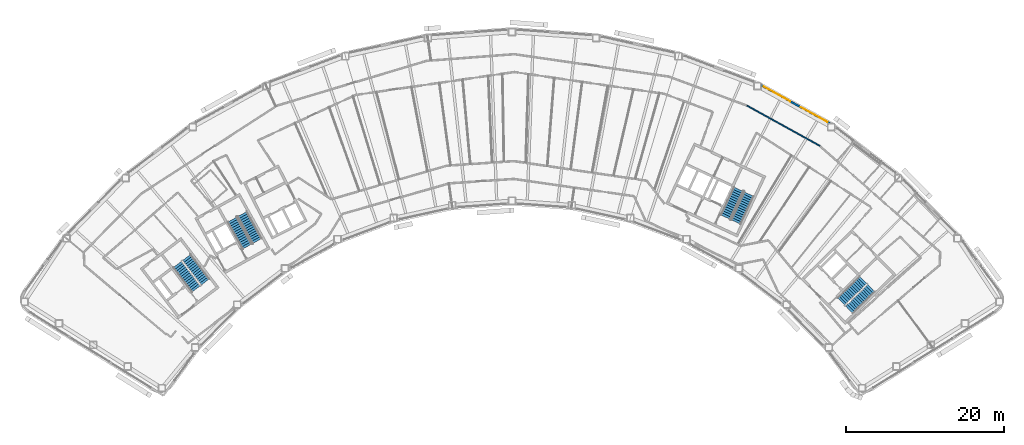
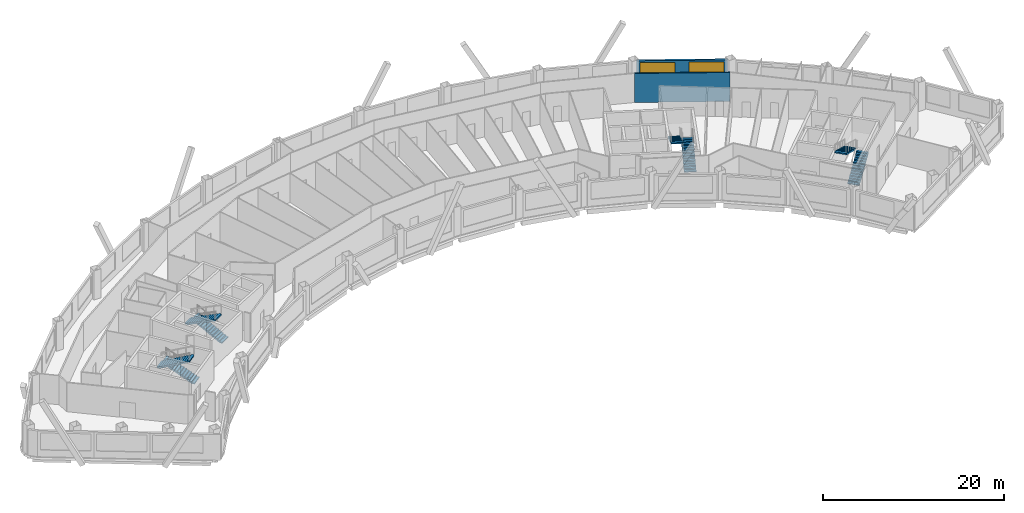
# One storey, part 12 of 14: 8 stair flights, 2 walls, 2 windows, 2 openings, 4 elements without a shape of their own.
"""IFC4 building model written with IfcOpenShell, lengths in metres."""

from ifc_helpers import new_model, si_unit, direction, frame, frame_2d, origin, place, context, subcontext, project, spatial, polyline, rectangle, outline, extrude, material, layer, layer_set, type_object, element, fill, aggregate, save


model = new_model("IFC4")

# Units and contexts
model_context = context("Model", 3, precision=1e-05, world=origin(), true_north=direction((0.0, 1.0)))
body_context = subcontext(model_context, "Body", "Model", "MODEL_VIEW")
ifc_project = project(units=[si_unit("LENGTHUNIT", "METRE"), si_unit("AREAUNIT", "SQUARE_METRE"), si_unit("VOLUMEUNIT", "CUBIC_METRE"), si_unit("PLANEANGLEUNIT", "RADIAN"), si_unit("MASSUNIT", "GRAM", prefix="KILO")], contexts=[model_context])

# Site, building, storey
site_placement = place(None, origin())
site = spatial("IfcSite", under=ifc_project, at=site_placement, CompositionType="ELEMENT")
building_placement = place(site_placement, origin())
building = spatial("IfcBuilding", under=site, at=building_placement, Name="Tuul Gate Civic Tower", CompositionType="ELEMENT")
storey_placement = place(building_placement, frame((0.0, 0.0, 217.89990234375)))
storey = spatial("IfcBuildingStorey", under=building, at=storey_placement, Name="Level 49", CompositionType="ELEMENT", Elevation=217.89990234375)

# Wall
ifc_material_1 = material(Name="Gypsum board partition")
ifc_layer_1 = layer(ifc_material_1, 0.14990234375)
ifc_layer_set_1 = layer_set([ifc_layer_1], Name="Gypsum board partition")
wall_type_1 = type_object("IfcWallType", Name="Corridor wall P150", PredefinedType="PARTITIONING", material=ifc_layer_set_1)
wall_1_placement = place(storey_placement, frame((35.687744140625, 9.25048828125, 0.0), z_axis=(0.0, 0.0, 1.0), x_axis=(0.874959859782, -0.484195460295, 0.0)))
element("IfcWall", 1, at=wall_1_placement, inside=storey, type_object=wall_type_1, Name="p008", PredefinedType="PARTITIONING", context=body_context, shape_type="SweptSolid", body=[
    extrude(rectangle(XDim=10.530517578125, YDim=0.14990234375, at=frame_2d((5.26513671875, 0.0))), origin(), (0.0, 0.0, 1.0), 3.900146484375),
])

# Wall, openings, windows
ifc_material_2 = material(Name="Precast concrete C40/50", Category="concrete")
ifc_layer_2 = layer(ifc_material_2, 0.25)
ifc_layer_set_2 = layer_set([ifc_layer_2], Name="Precast concrete C40/50")
wall_type_2 = type_object("IfcWallType", Name="External wall", PredefinedType="STANDARD", material=ifc_layer_set_2)
wall_2_placement = place(storey_placement, frame((46.201171875, 6.992919921875, 0.0), z_axis=(0.0, 0.0, 1.0), x_axis=(-0.874625464024, 0.484799234405, 0.0)))
wall_2 = element("IfcWall", 2, at=wall_2_placement, inside=storey, type_object=wall_type_2, Name="External wall", PredefinedType="STANDARD", context=body_context, shape_type="SweptSolid", body=[
    extrude(rectangle(XDim=10.00244140625, YDim=0.25, at=frame_2d((5.001220703125, 0.0))), origin(), (0.0, 0.0, 1.0), 3.4501953125),
])
opening_1_placement = place(wall_2_placement, frame((0.38671875, 0.0, 0.89990234375)))
opening_1 = element("IfcOpeningElement", 3, at=opening_1_placement, cuts=wall_2, Name="Opening W22", PredefinedType="OPENING", context=body_context, shape_type="SweptSolid", body=[
    extrude(rectangle(XDim=3.85009765625, YDim=2.300048828125, at=frame_2d((1.925048828125, 1.14990234375))), frame((0.0, 0.135009765625, 0.0), z_axis=(0.0, -1.0, 0.0), x_axis=(1.0, 0.0, 0.0)), (0.0, 0.0, 1.0), 0.27001953125),
])
opening_2_placement = place(wall_2_placement, frame((5.758056640625, 0.0, 0.89990234375)))
opening_2 = element("IfcOpeningElement", 4, at=opening_2_placement, cuts=wall_2, Name="Opening W22", PredefinedType="OPENING", context=body_context, shape_type="SweptSolid", body=[
    extrude(rectangle(XDim=3.85009765625, YDim=2.300048828125, at=frame_2d((1.925048828125, 1.14990234375))), frame((0.0, 0.135009765625, 0.0), z_axis=(0.0, -1.0, 0.0), x_axis=(1.0, 0.0, 0.0)), (0.0, 0.0, 1.0), 0.27001953125),
])
ifc_material_3 = material(Name="Glass", Category="glass")
window_type = type_object("IfcWindowType", Name="Window W22 3850 x 2300", PartitioningType="SINGLE_PANEL", PredefinedType="WINDOW", material=ifc_material_3)
window_1_placement = place(opening_1_placement, origin())
window_1 = element("IfcWindow", 5, at=window_1_placement, inside=storey, type_object=window_type, Name="Window", OverallHeight=2.300048828125, OverallWidth=3.85009765625, PartitioningType="SINGLE_PANEL", PredefinedType="WINDOW", context=body_context, shape_type="SweptSolid", body=[
    extrude(rectangle(XDim=3.85009765625, YDim=2.300048828125, at=frame_2d((1.925048828125, 1.14990234375))), frame((0.0, 0.030029296875, 0.0), z_axis=(0.0, -1.0, 0.0), x_axis=(1.0, 0.0, 0.0)), (0.0, 0.0, 1.0), 0.06005859375),
])
fill(opening_1, window_1)
window_2_placement = place(opening_2_placement, origin())
window_2 = element("IfcWindow", 6, at=window_2_placement, inside=storey, type_object=window_type, Name="Window", OverallHeight=2.300048828125, OverallWidth=3.85009765625, PartitioningType="SINGLE_PANEL", PredefinedType="WINDOW", context=body_context, shape_type="SweptSolid", body=[
    extrude(rectangle(XDim=3.85009765625, YDim=2.300048828125, at=frame_2d((1.925048828125, 1.14990234375))), frame((0.0, 0.030029296875, 0.0), z_axis=(0.0, -1.0, 0.0), x_axis=(1.0, 0.0, 0.0)), (0.0, 0.0, 1.0), 0.06005859375),
])
fill(opening_2, window_2)

# Stair, stair flights
ifc_material_4 = material(Name="Concrete C40/50", Category="concrete")
stair_type = type_object("IfcStairType", Name="Exit stair", PredefinedType="HALF_TURN_STAIR", material=ifc_material_4)
stair_1_placement = place(storey_placement, origin())
stair_1 = element("IfcStair", 7, at=stair_1_placement, inside=storey, type_object=stair_type, Name="Level 49 ST-1", PredefinedType="HALF_TURN_STAIR")
ifc_material_5 = material(Name="Concrete C40/50", Category="concrete")
stair_flight_type = type_object("IfcStairFlightType", Name="Exit stair flight", PredefinedType="STRAIGHT", material=ifc_material_5)
stair_flight_1_placement = place(storey_placement, frame((-32.875244140625, -13.066650390625, 0.0), z_axis=(0.0, 0.0, 1.0), x_axis=(-0.605764474941, 0.795644016442, 0.0)))
stair_flight_1 = element("IfcStairFlight", 8, at=stair_flight_1_placement, type_object=stair_flight_type, Name="ST-1 flight 1", NumberOfRisers=14, NumberOfTreads=13, PredefinedType="STRAIGHT", RiserHeight=0.15, TreadLength=0.3, context=body_context, shape_type="SweptSolid", body=[
    extrude(outline(polyline([(0.0, 0.0), (0.0, 0.14990234375), (0.300048828125, 0.14990234375), (0.300048828125, 0.300048828125), (0.60009765625, 0.300048828125), (0.60009765625, 0.449951171875), (0.89990234375, 0.449951171875), (0.89990234375, 0.60009765625), (1.199951171875, 0.60009765625), (1.199951171875, 0.75), (1.5, 0.75), (1.5, 0.89990234375), (1.800048828125, 0.89990234375), (1.800048828125, 1.050048828125), (2.10009765625, 1.050048828125), (2.10009765625, 1.199951171875), (2.39990234375, 1.199951171875), (2.39990234375, 1.35009765625), (2.699951171875, 1.35009765625), (2.699951171875, 1.5), (3.0, 1.5), (3.0, 1.64990234375), (3.300048828125, 1.64990234375), (3.300048828125, 1.800048828125), (3.60009765625, 1.800048828125), (3.60009765625, 1.949951171875), (3.89990234375, 1.949951171875), (3.89990234375, 2.10009765625), (3.89990234375, 1.782470703125), (0.335205078125, 0.0), (0.0, 0.0)])), frame((0.0, 0.675048828125, 0.0), z_axis=(0.0, -1.0, 0.0), x_axis=(1.0, 0.0, 0.0)), (0.0, 0.0, 1.0), 1.35009765625),
])
stair_flight_2_placement = place(storey_placement, frame((-36.391357421875, -10.842041015625, 2.10009765625), z_axis=(0.0, 0.0, 1.0), x_axis=(0.605764474941, -0.795644016442, 0.0)))
stair_flight_2 = element("IfcStairFlight", 9, at=stair_flight_2_placement, type_object=stair_flight_type, Name="ST-1 flight 2", NumberOfRisers=14, NumberOfTreads=13, PredefinedType="STRAIGHT", RiserHeight=0.15, TreadLength=0.3, context=body_context, shape_type="SweptSolid", body=[
    extrude(outline(polyline([(0.0, 0.0), (0.0, 0.14990234375), (0.300048828125, 0.14990234375), (0.300048828125, 0.300048828125), (0.60009765625, 0.300048828125), (0.60009765625, 0.449951171875), (0.89990234375, 0.449951171875), (0.89990234375, 0.60009765625), (1.199951171875, 0.60009765625), (1.199951171875, 0.75), (1.5, 0.75), (1.5, 0.89990234375), (1.800048828125, 0.89990234375), (1.800048828125, 1.050048828125), (2.10009765625, 1.050048828125), (2.10009765625, 1.199951171875), (2.39990234375, 1.199951171875), (2.39990234375, 1.35009765625), (2.699951171875, 1.35009765625), (2.699951171875, 1.5), (3.0, 1.5), (3.0, 1.64990234375), (3.300048828125, 1.64990234375), (3.300048828125, 1.800048828125), (3.60009765625, 1.800048828125), (3.60009765625, 1.949951171875), (3.89990234375, 1.949951171875), (3.89990234375, 2.10009765625), (3.89990234375, 1.782470703125), (0.335205078125, 0.0), (0.0, 0.0)])), frame((0.0, 0.675048828125, 0.0), z_axis=(0.0, -1.0, 0.0), x_axis=(1.0, 0.0, 0.0)), (0.0, 0.0, 1.0), 1.35009765625),
])
aggregate(stair_1, [stair_flight_1, stair_flight_2])

stair_2_placement = place(storey_placement, origin())
stair_2 = element("IfcStair", 10, at=stair_2_placement, inside=storey, type_object=stair_type, Name="Level 49 ST-2", PredefinedType="HALF_TURN_STAIR")
stair_flight_3_placement = place(storey_placement, frame((-26.29150390625, -7.87646484375, 0.0), z_axis=(0.0, 0.0, 1.0), x_axis=(-0.484761763766, 0.874646232708, 0.0)))
stair_flight_3 = element("IfcStairFlight", 11, at=stair_flight_3_placement, type_object=stair_flight_type, Name="ST-2 flight 1", NumberOfRisers=14, NumberOfTreads=13, PredefinedType="STRAIGHT", RiserHeight=0.15, TreadLength=0.3, context=body_context, shape_type="SweptSolid", body=[
    extrude(outline(polyline([(0.0, 0.0), (0.0, 0.14990234375), (0.300048828125, 0.14990234375), (0.300048828125, 0.300048828125), (0.60009765625, 0.300048828125), (0.60009765625, 0.449951171875), (0.89990234375, 0.449951171875), (0.89990234375, 0.60009765625), (1.199951171875, 0.60009765625), (1.199951171875, 0.75), (1.5, 0.75), (1.5, 0.89990234375), (1.800048828125, 0.89990234375), (1.800048828125, 1.050048828125), (2.10009765625, 1.050048828125), (2.10009765625, 1.199951171875), (2.39990234375, 1.199951171875), (2.39990234375, 1.35009765625), (2.699951171875, 1.35009765625), (2.699951171875, 1.5), (3.0, 1.5), (3.0, 1.64990234375), (3.300048828125, 1.64990234375), (3.300048828125, 1.800048828125), (3.60009765625, 1.800048828125), (3.60009765625, 1.949951171875), (3.89990234375, 1.949951171875), (3.89990234375, 2.10009765625), (3.89990234375, 1.782470703125), (0.335205078125, 0.0), (0.0, 0.0)])), frame((0.0, 0.675048828125, 0.0), z_axis=(0.0, -1.0, 0.0), x_axis=(1.0, 0.0, 0.0)), (0.0, 0.0, 1.0), 1.35009765625),
])
stair_flight_4_placement = place(storey_placement, frame((-29.450439453125, -5.168212890625, 2.10009765625), z_axis=(0.0, 0.0, 1.0), x_axis=(0.484761763766, -0.874646232708, 0.0)))
stair_flight_4 = element("IfcStairFlight", 12, at=stair_flight_4_placement, type_object=stair_flight_type, Name="ST-2 flight 2", NumberOfRisers=14, NumberOfTreads=13, PredefinedType="STRAIGHT", RiserHeight=0.15, TreadLength=0.3, context=body_context, shape_type="SweptSolid", body=[
    extrude(outline(polyline([(0.0, 0.0), (0.0, 0.14990234375), (0.300048828125, 0.14990234375), (0.300048828125, 0.300048828125), (0.60009765625, 0.300048828125), (0.60009765625, 0.449951171875), (0.89990234375, 0.449951171875), (0.89990234375, 0.60009765625), (1.199951171875, 0.60009765625), (1.199951171875, 0.75), (1.5, 0.75), (1.5, 0.89990234375), (1.800048828125, 0.89990234375), (1.800048828125, 1.050048828125), (2.10009765625, 1.050048828125), (2.10009765625, 1.199951171875), (2.39990234375, 1.199951171875), (2.39990234375, 1.35009765625), (2.699951171875, 1.35009765625), (2.699951171875, 1.5), (3.0, 1.5), (3.0, 1.64990234375), (3.300048828125, 1.64990234375), (3.300048828125, 1.800048828125), (3.60009765625, 1.800048828125), (3.60009765625, 1.949951171875), (3.89990234375, 1.949951171875), (3.89990234375, 2.10009765625), (3.89990234375, 1.782470703125), (0.335205078125, 0.0), (0.0, 0.0)])), frame((0.0, 0.675048828125, 0.0), z_axis=(0.0, -1.0, 0.0), x_axis=(1.0, 0.0, 0.0)), (0.0, 0.0, 1.0), 1.35009765625),
])
aggregate(stair_2, [stair_flight_3, stair_flight_4])

stair_3_placement = place(storey_placement, origin())
stair_3 = element("IfcStair", 13, at=stair_3_placement, inside=storey, type_object=stair_type, Name="Level 49 ST-3", PredefinedType="HALF_TURN_STAIR")
stair_flight_5_placement = place(storey_placement, frame((48.61376953125, -16.581787109375, 0.0), z_axis=(0.0, 0.0, 1.0), x_axis=(0.714127290059, 0.700015866672, 0.0)))
stair_flight_5 = element("IfcStairFlight", 14, at=stair_flight_5_placement, type_object=stair_flight_type, Name="ST-3 flight 1", NumberOfRisers=14, NumberOfTreads=13, PredefinedType="STRAIGHT", RiserHeight=0.15, TreadLength=0.3, context=body_context, shape_type="SweptSolid", body=[
    extrude(outline(polyline([(0.0, 0.0), (0.0, 0.14990234375), (0.300048828125, 0.14990234375), (0.300048828125, 0.300048828125), (0.60009765625, 0.300048828125), (0.60009765625, 0.449951171875), (0.89990234375, 0.449951171875), (0.89990234375, 0.60009765625), (1.199951171875, 0.60009765625), (1.199951171875, 0.75), (1.5, 0.75), (1.5, 0.89990234375), (1.800048828125, 0.89990234375), (1.800048828125, 1.050048828125), (2.10009765625, 1.050048828125), (2.10009765625, 1.199951171875), (2.39990234375, 1.199951171875), (2.39990234375, 1.35009765625), (2.699951171875, 1.35009765625), (2.699951171875, 1.5), (3.0, 1.5), (3.0, 1.64990234375), (3.300048828125, 1.64990234375), (3.300048828125, 1.800048828125), (3.60009765625, 1.800048828125), (3.60009765625, 1.949951171875), (3.89990234375, 1.949951171875), (3.89990234375, 2.10009765625), (3.89990234375, 1.782470703125), (0.335205078125, 0.0), (0.0, 0.0)])), frame((0.0, 0.675048828125, 0.0), z_axis=(0.0, -1.0, 0.0), x_axis=(1.0, 0.0, 0.0)), (0.0, 0.0, 1.0), 1.35009765625),
])
stair_flight_6_placement = place(storey_placement, frame((50.3837890625, -12.816162109375, 2.10009765625), z_axis=(0.0, 0.0, 1.0), x_axis=(-0.714127290059, -0.700015866672, 0.0)))
stair_flight_6 = element("IfcStairFlight", 15, at=stair_flight_6_placement, type_object=stair_flight_type, Name="ST-3 flight 2", NumberOfRisers=14, NumberOfTreads=13, PredefinedType="STRAIGHT", RiserHeight=0.15, TreadLength=0.3, context=body_context, shape_type="SweptSolid", body=[
    extrude(outline(polyline([(0.0, 0.0), (0.0, 0.14990234375), (0.300048828125, 0.14990234375), (0.300048828125, 0.300048828125), (0.60009765625, 0.300048828125), (0.60009765625, 0.449951171875), (0.89990234375, 0.449951171875), (0.89990234375, 0.60009765625), (1.199951171875, 0.60009765625), (1.199951171875, 0.75), (1.5, 0.75), (1.5, 0.89990234375), (1.800048828125, 0.89990234375), (1.800048828125, 1.050048828125), (2.10009765625, 1.050048828125), (2.10009765625, 1.199951171875), (2.39990234375, 1.199951171875), (2.39990234375, 1.35009765625), (2.699951171875, 1.35009765625), (2.699951171875, 1.5), (3.0, 1.5), (3.0, 1.64990234375), (3.300048828125, 1.64990234375), (3.300048828125, 1.800048828125), (3.60009765625, 1.800048828125), (3.60009765625, 1.949951171875), (3.89990234375, 1.949951171875), (3.89990234375, 2.10009765625), (3.89990234375, 1.782470703125), (0.335205078125, 0.0), (0.0, 0.0)])), frame((0.0, 0.675048828125, 0.0), z_axis=(0.0, -1.0, 0.0), x_axis=(1.0, 0.0, 0.0)), (0.0, 0.0, 1.0), 1.35009765625),
])
aggregate(stair_3, [stair_flight_5, stair_flight_6])

stair_4_placement = place(storey_placement, origin())
stair_4 = element("IfcStair", 16, at=stair_4_placement, inside=storey, type_object=stair_type, Name="Level 49 ST-4", PredefinedType="HALF_TURN_STAIR")
stair_flight_7_placement = place(storey_placement, frame((34.278564453125, -5.478515625, 0.0), z_axis=(0.0, 0.0, 1.0), x_axis=(0.422576295988, 0.906327354806, 0.0)))
stair_flight_7 = element("IfcStairFlight", 17, at=stair_flight_7_placement, type_object=stair_flight_type, Name="ST-4 flight 1", NumberOfRisers=14, NumberOfTreads=13, PredefinedType="STRAIGHT", RiserHeight=0.15, TreadLength=0.3, context=body_context, shape_type="SweptSolid", body=[
    extrude(outline(polyline([(0.0, 0.0), (0.0, 0.14990234375), (0.300048828125, 0.14990234375), (0.300048828125, 0.300048828125), (0.60009765625, 0.300048828125), (0.60009765625, 0.449951171875), (0.89990234375, 0.449951171875), (0.89990234375, 0.60009765625), (1.199951171875, 0.60009765625), (1.199951171875, 0.75), (1.5, 0.75), (1.5, 0.89990234375), (1.800048828125, 0.89990234375), (1.800048828125, 1.050048828125), (2.10009765625, 1.050048828125), (2.10009765625, 1.199951171875), (2.39990234375, 1.199951171875), (2.39990234375, 1.35009765625), (2.699951171875, 1.35009765625), (2.699951171875, 1.5), (3.0, 1.5), (3.0, 1.64990234375), (3.300048828125, 1.64990234375), (3.300048828125, 1.800048828125), (3.60009765625, 1.800048828125), (3.60009765625, 1.949951171875), (3.89990234375, 1.949951171875), (3.89990234375, 2.10009765625), (3.89990234375, 1.782470703125), (0.335205078125, 0.0), (0.0, 0.0)])), frame((0.0, 0.675048828125, 0.0), z_axis=(0.0, -1.0, 0.0), x_axis=(1.0, 0.0, 0.0)), (0.0, 0.0, 1.0), 1.35009765625),
])
stair_flight_8_placement = place(storey_placement, frame((34.612548828125, -1.3310546875, 2.10009765625), z_axis=(0.0, 0.0, 1.0), x_axis=(-0.422576295988, -0.906327354806, 0.0)))
stair_flight_8 = element("IfcStairFlight", 18, at=stair_flight_8_placement, type_object=stair_flight_type, Name="ST-4 flight 2", NumberOfRisers=14, NumberOfTreads=13, PredefinedType="STRAIGHT", RiserHeight=0.15, TreadLength=0.3, context=body_context, shape_type="SweptSolid", body=[
    extrude(outline(polyline([(0.0, 0.0), (0.0, 0.14990234375), (0.300048828125, 0.14990234375), (0.300048828125, 0.300048828125), (0.60009765625, 0.300048828125), (0.60009765625, 0.449951171875), (0.89990234375, 0.449951171875), (0.89990234375, 0.60009765625), (1.199951171875, 0.60009765625), (1.199951171875, 0.75), (1.5, 0.75), (1.5, 0.89990234375), (1.800048828125, 0.89990234375), (1.800048828125, 1.050048828125), (2.10009765625, 1.050048828125), (2.10009765625, 1.199951171875), (2.39990234375, 1.199951171875), (2.39990234375, 1.35009765625), (2.699951171875, 1.35009765625), (2.699951171875, 1.5), (3.0, 1.5), (3.0, 1.64990234375), (3.300048828125, 1.64990234375), (3.300048828125, 1.800048828125), (3.60009765625, 1.800048828125), (3.60009765625, 1.949951171875), (3.89990234375, 1.949951171875), (3.89990234375, 2.10009765625), (3.89990234375, 1.782470703125), (0.335205078125, 0.0), (0.0, 0.0)])), frame((0.0, 0.675048828125, 0.0), z_axis=(0.0, -1.0, 0.0), x_axis=(1.0, 0.0, 0.0)), (0.0, 0.0, 1.0), 1.35009765625),
])
aggregate(stair_4, [stair_flight_7, stair_flight_8])

save(model, "model.ifc")
